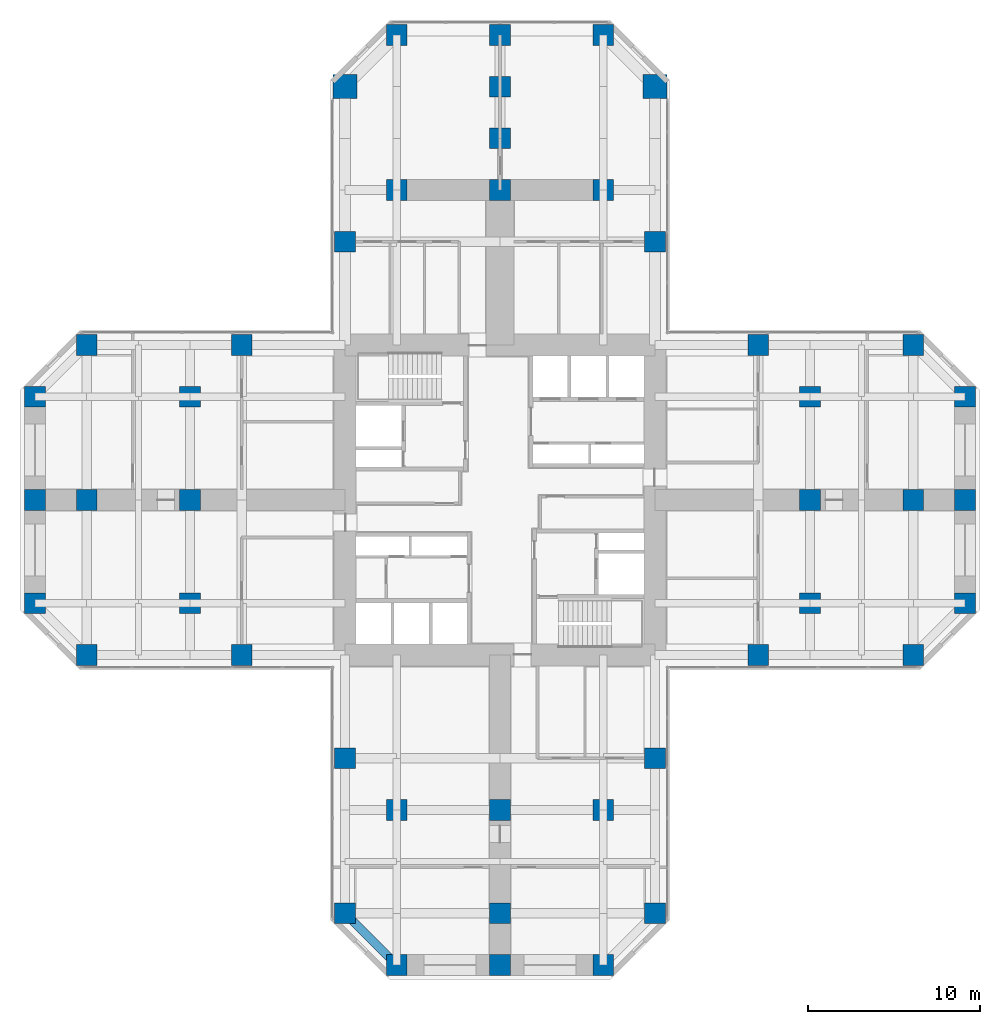
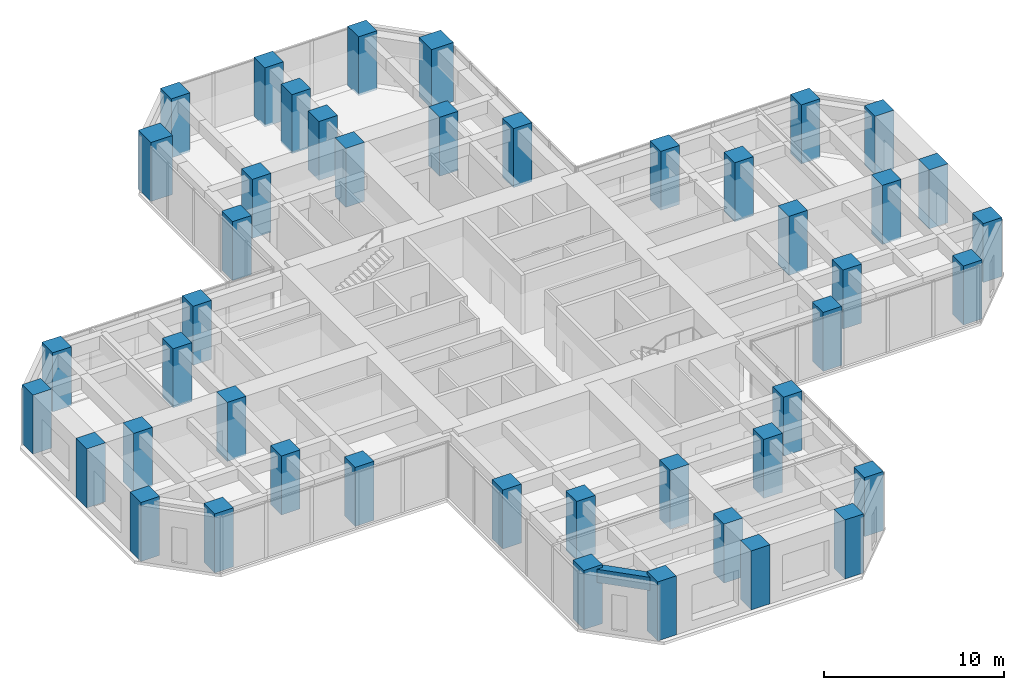
# One storey, part 1 of 12: 45 columns, 1 beam.
"""IFC4 building model written with IfcOpenShell, lengths in metres."""

from ifc_helpers import new_model, si_unit, direction, frame, origin, origin_2d, place, context, subcontext, project, spatial, rectangle, extrude, material, material_profile, profile_set, type_object, element, save


model = new_model("IFC4")

# Units and contexts
model_context = context("Model", 3, precision=1e-05, world=origin(), true_north=direction((0.0, 1.0)))
body_context = subcontext(model_context, "Body", "Model", "MODEL_VIEW")
ifc_project = project(units=[si_unit("LENGTHUNIT", "METRE"), si_unit("AREAUNIT", "SQUARE_METRE"), si_unit("VOLUMEUNIT", "CUBIC_METRE"), si_unit("PLANEANGLEUNIT", "RADIAN"), si_unit("MASSUNIT", "GRAM", prefix="KILO")], contexts=[model_context])

# Site, building, storey
site_placement = place(None, origin())
site = spatial("IfcSite", under=ifc_project, at=site_placement, CompositionType="ELEMENT")
building_placement = place(site_placement, origin())
building = spatial("IfcBuilding", under=site, at=building_placement, Name="Torre Cruceta", CompositionType="ELEMENT")
storey_placement = place(building_placement, frame((0.0, 0.0, 79.5)))
storey = spatial("IfcBuildingStorey", under=building, at=storey_placement, Name="L19", CompositionType="ELEMENT", Elevation=79.5)

# Columns
ifc_material_1 = material(Name="Concrete G60 (fck 60 MPa)", Category="concrete")
ifc_material_profile_1 = material_profile(ifc_material_1, rectangle(XDim=1.199951171875, YDim=1.199951171875, at=origin_2d()), Name="RC 1200X1200")
ifc_profile_set_1 = profile_set([ifc_material_profile_1], Name="Concrete G60 (fck 60 MPa)")
column_type_1 = type_object("IfcColumnType", Name="COLUMN RC 1200X1200", PredefinedType="COLUMN", material=ifc_profile_set_1)
for number, where, z_axis, x_axis, name in (
    (1, (9.0, 15.0, 0.0), (0.0, 0.0, 1.0), (1.0, 0.0, 0.0), "C3 L19 N side"),
    (2, (-9.0, 15.0, 0.0), (0.0, 0.0, 1.0), (1.0, 0.0, 0.0), "C3 L19 N side"),
    (3, (6.0, 27.0, 0.0), (0.0, 0.0, 1.0), (1.0, 0.0, 0.0), "C3 L19 N tip"),
    (4, (0.0, 27.0, 0.0), (0.0, 0.0, 1.0), (1.0, 0.0, 0.0), "C3 L19 N tip"),
    (5, (-6.0, 27.0, 0.0), (0.0, 0.0, 1.0), (1.0, 0.0, 0.0), "C3 L19 N tip"),
    (6, (15.0, -9.0, 0.0), (0.0, 0.0, 1.0), (1.0, 0.0, 0.0), "C3 L19 E side"),
    (7, (24.0, -9.0, 0.0), (0.0, 0.0, 1.0), (1.0, 0.0, 0.0), "C3 L19 E chamfer"),
    (8, (15.0, 9.0, 0.0), (0.0, 0.0, 1.0), (1.0, 0.0, 0.0), "C3 L19 E side"),
    (9, (24.0, 9.0, 0.0), (0.0, 0.0, 1.0), (1.0, 0.0, 0.0), "C3 L19 E chamfer"),
    (10, (27.0, -6.0, 0.0), (0.0, 0.0, 1.0), (1.0, 0.0, 0.0), "C3 L19 E tip"),
    (11, (27.0, 0.0, 0.0), (0.0, 0.0, 1.0), (1.0, 0.0, 0.0), "C3 L19 E tip"),
    (12, (27.0, 6.0, 0.0), (0.0, 0.0, 1.0), (1.0, 0.0, 0.0), "C3 L19 E tip"),
    (13, (-9.0, -15.0, 0.0), (0.0, 0.0, 1.0), (1.0, 0.0, 0.0), "C3 L19 S side"),
    (14, (-9.0, -24.0, 0.0), (0.0, 0.0, 1.0), (1.0, 0.0, 0.0), "C3 L19 S chamfer"),
    (15, (9.0, -15.0, 0.0), (0.0, 0.0, 1.0), (1.0, 0.0, 0.0), "C3 L19 S side"),
    (16, (9.0, -24.0, 0.0), (0.0, 0.0, 1.0), (1.0, 0.0, 0.0), "C3 L19 S chamfer"),
    (17, (-6.0, -27.0, 0.0), (0.0, 0.0, 1.0), (1.0, 0.0, 0.0), "C3 L19 S tip"),
    (18, (0.0, -27.0, 0.0), (0.0, 0.0, 1.0), (1.0, 0.0, 0.0), "C3 L19 S tip"),
    (19, (6.0, -27.0, 0.0), (0.0, 0.0, 1.0), (1.0, 0.0, 0.0), "C3 L19 S tip"),
    (20, (-15.0, 9.0, 0.0), (0.0, 0.0, 1.0), (1.0, 0.0, 0.0), "C3 L19 W side"),
    (21, (-24.0, 9.0, 0.0), (0.0, 0.0, 1.0), (1.0, 0.0, 0.0), "C3 L19 W chamfer"),
    (22, (-15.0, -9.0, 0.0), (0.0, 0.0, 1.0), (1.0, 0.0, 0.0), "C3 L19 W side"),
    (23, (-24.0, -9.0, 0.0), (0.0, 0.0, 1.0), (1.0, 0.0, 0.0), "C3 L19 W chamfer"),
    (24, (-27.0, 6.0, 0.0), (0.0, 0.0, 1.0), (1.0, 0.0, 0.0), "C3 L19 W tip"),
    (25, (-27.0, 0.0, 0.0), (0.0, 0.0, 1.0), (1.0, 0.0, 0.0), "C3 L19 W tip"),
    (26, (-27.0, -6.0, 0.0), (0.0, 0.0, 1.0), (1.0, 0.0, 0.0), "C3 L19 W tip"),
    (27, (6.0, 18.0, 0.0), (0.0, 0.0, 1.0), (1.0, 0.0, 0.0), "C3 L19 N interior"),
    (28, (0.0, 18.0, 0.0), (0.0, 0.0, 1.0), (1.0, 0.0, 0.0), "C3 L19 N interior"),
    (29, (-6.0, 18.0, 0.0), (0.0, 0.0, 1.0), (1.0, 0.0, 0.0), "C3 L19 N interior"),
    (30, (0.0, 21.0, 0.0), (0.0, 0.0, 1.0), (1.0, 0.0, 0.0), "C3 L19 N interior"),
    (31, (0.0, 24.0, 0.0), (0.0, 0.0, 1.0), (1.0, 0.0, 0.0), "C3 L19 N interior"),
    (32, (18.0, -6.0, 0.0), (0.0, 0.0, 1.0), (1.0, 0.0, 0.0), "C3 L19 E interior"),
    (33, (18.0, 0.0, 0.0), (0.0, 0.0, 1.0), (1.0, 0.0, 0.0), "C3 L19 E interior"),
    (34, (18.0, 6.0, 0.0), (0.0, 0.0, 1.0), (1.0, 0.0, 0.0), "C3 L19 E interior"),
    (35, (24.0, 0.0, 0.0), (0.0, 0.0, 1.0), (1.0, 0.0, 0.0), "C3 L19 E interior"),
    (36, (-6.0, -18.0, 0.0), (0.0, 0.0, 1.0), (1.0, 0.0, 0.0), "C3 L19 S interior"),
    (37, (0.0, -18.0, 0.0), (0.0, 0.0, 1.0), (1.0, 0.0, 0.0), "C3 L19 S interior"),
    (38, (6.0, -18.0, 0.0), (0.0, 0.0, 1.0), (1.0, 0.0, 0.0), "C3 L19 S interior"),
    (39, (0.0, -24.0, 0.0), (0.0, 0.0, 1.0), (1.0, 0.0, 0.0), "C3 L19 S interior"),
    (40, (-18.0, 6.0, 0.0), (0.0, 0.0, 1.0), (1.0, 0.0, 0.0), "C3 L19 W interior"),
    (41, (-18.0, 0.0, 0.0), (0.0, 0.0, 1.0), (1.0, 0.0, 0.0), "C3 L19 W interior"),
    (42, (-18.0, -6.0, 0.0), (0.0, 0.0, 1.0), (1.0, 0.0, 0.0), "C3 L19 W interior"),
    (43, (-24.0, 0.0, 0.0), (0.0, 0.0, 1.0), (1.0, 0.0, 0.0), "C3 L19 W interior"),
):
    element("IfcColumn", number, at=place(storey_placement, frame(where, z_axis=z_axis, x_axis=x_axis)), inside=storey, type_object=column_type_1, Name=name, PredefinedType="COLUMN", context=body_context, shape_type="SweptSolid", body=[
        extrude(rectangle(XDim=1.199951171875, YDim=1.199951171875, at=origin_2d()), origin(), (0.0, 0.0, 1.0), 4.0),
    ])
ifc_material_2 = material(Name="Concrete G60 (fck 60 MPa)", Category="concrete")
ifc_material_profile_2 = material_profile(ifc_material_2, rectangle(XDim=1.39990234375, YDim=1.39990234375, at=origin_2d()), Name="RC 1400X1400")
ifc_profile_set_2 = profile_set([ifc_material_profile_2], Name="Concrete G60 (fck 60 MPa)")
column_type_2 = type_object("IfcColumnType", Name="COLUMN RC 1400X1400", PredefinedType="COLUMN", material=ifc_profile_set_2)
for number, where, z_axis, x_axis, name in (
    (44, (9.0, 24.0, 0.0), (0.0, 0.0, 1.0), (1.0, 0.0, 0.0), "C1 L19 N chamfer"),
    (45, (-9.0, 24.0, 0.0), (0.0, 0.0, 1.0), (1.0, 0.0, 0.0), "C1 L19 N chamfer"),
):
    element("IfcColumn", number, at=place(storey_placement, frame(where, z_axis=z_axis, x_axis=x_axis)), inside=storey, type_object=column_type_2, Name=name, PredefinedType="COLUMN", context=body_context, shape_type="SweptSolid", body=[
        extrude(rectangle(XDim=1.39990234375, YDim=1.39990234375, at=origin_2d()), origin(), (0.0, 0.0, 1.0), 4.0),
    ])

# Beam
ifc_material_3 = material(Name="Concrete G60 (fck 60 MPa)", Category="concrete")
ifc_material_profile_3 = material_profile(ifc_material_3, rectangle(XDim=0.5, YDim=0.89990234375, at=origin_2d()), Name="RC 500X900")
ifc_profile_set_3 = profile_set([ifc_material_profile_3], Name="Concrete G60 (fck 60 MPa)")
beam_type = type_object("IfcBeamType", Name="SPANDREL BEAM RC 500X900", PredefinedType="SPANDREL", material=ifc_profile_set_3)
beam_placement = place(storey_placement, frame((-9.0, -24.0, 3.35009765625), z_axis=(0.707106781187, -0.707106781187, 0.0), x_axis=(0.707106781187, 0.707106781187, 0.0)))
element("IfcBeam", 46, at=beam_placement, inside=storey, type_object=beam_type, Name="SB4 L19 S side- 5", PredefinedType="SPANDREL", context=body_context, shape_type="SweptSolid", body=[
    extrude(rectangle(XDim=0.5, YDim=0.89990234375, at=origin_2d()), origin(), (0.0, 0.0, 1.0), 4.24267578125),
])

save(model, "model.ifc")
